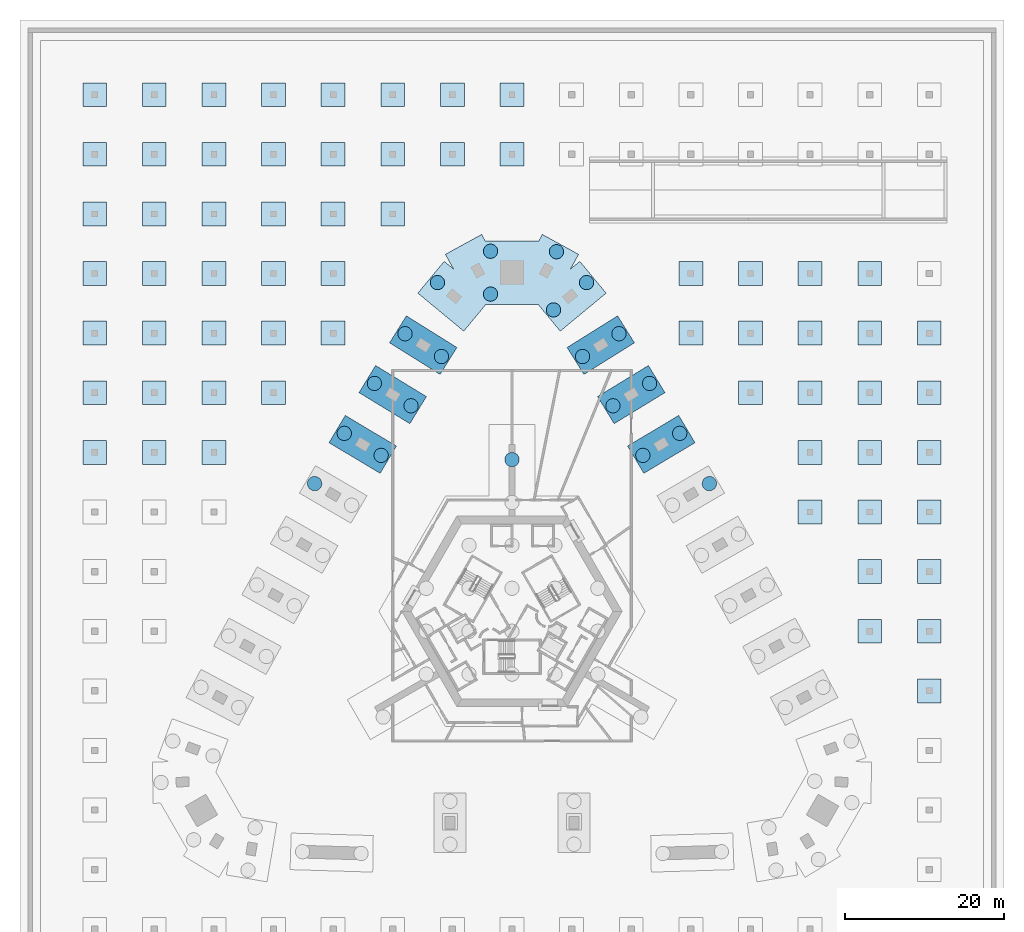
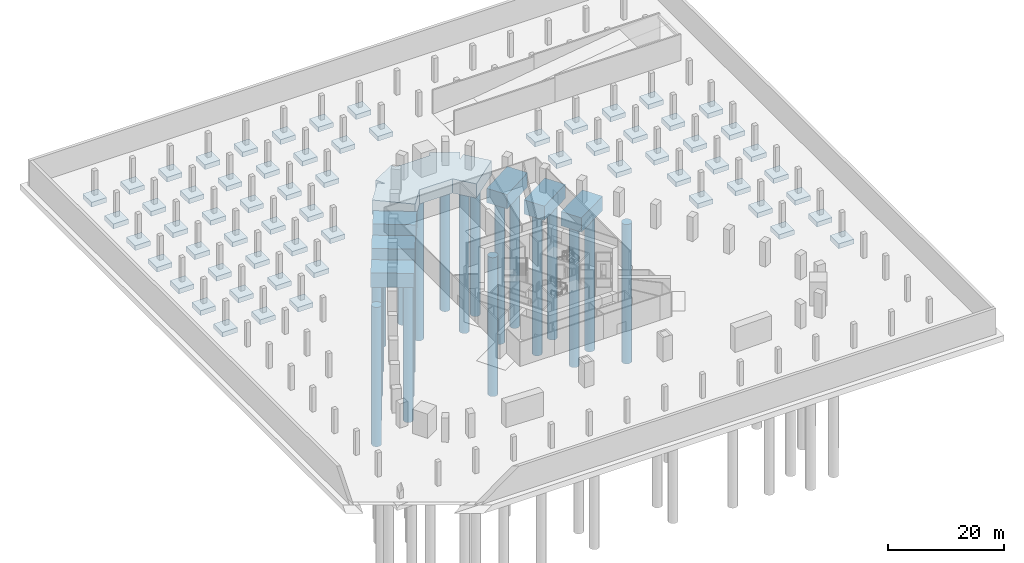
# One storey, part 2 of 14: 70 footings, 21 piles.
"""IFC4 building model written with IfcOpenShell, lengths in metres."""

from ifc_helpers import new_model, si_unit, direction, frame, origin, origin_2d, place, context, subcontext, project, spatial, polyline, circle, outline, extrude, material, layer, layer_set, material_profile, profile_set, type_object, element, save


model = new_model("IFC4")

# Units and contexts
model_context = context("Model", 3, precision=1e-05, world=origin(), true_north=direction((0.0, 1.0)))
body_context = subcontext(model_context, "Body", "Model", "MODEL_VIEW")
ifc_project = project(units=[si_unit("LENGTHUNIT", "METRE"), si_unit("AREAUNIT", "SQUARE_METRE"), si_unit("VOLUMEUNIT", "CUBIC_METRE"), si_unit("PLANEANGLEUNIT", "RADIAN"), si_unit("MASSUNIT", "GRAM", prefix="KILO")], contexts=[model_context])

# Site, building, storey
site_placement = place(None, origin())
site = spatial("IfcSite", under=ifc_project, at=site_placement, CompositionType="ELEMENT")
building_placement = place(site_placement, origin())
building = spatial("IfcBuilding", under=site, at=building_placement, Name="Entoto Arch Interchange Tower", CompositionType="ELEMENT")
storey_placement = place(building_placement, frame((0.0, 0.0, -16.5)))
storey = spatial("IfcBuildingStorey", under=building, at=storey_placement, Name="B3", CompositionType="ELEMENT", Elevation=-16.5)

# Piles
ifc_material = material(Name="Concrete C35/45", Category="concrete")
ifc_material_profile = material_profile(ifc_material, circle(Radius=0.89990234375, at=origin_2d()))
ifc_profile_set = profile_set([ifc_material_profile], Name="Concrete C35/45")
pile_type = type_object("IfcPileType", Name="Bored pile D1800 C35/45", PredefinedType="BORED", material=ifc_profile_set)
pile_placement = place(storey_placement, frame((0.0, 21.60009765625, -3.35009765625), z_axis=(0.0, 0.0, -1.0), x_axis=(1.0, 0.0, 0.0)))
element("IfcPile", 1, at=pile_placement, inside=storey, type_object=pile_type, Name="Bored pile P022 (RAFT)", PredefinedType="BORED", context=body_context, shape_type="SweptSolid", body=[
    extrude(circle(Radius=0.89990234375, at=origin_2d()), origin(), (0.0, 0.0, 1.0), 29.14990234375),
])
for number, where, z_axis, x_axis, name in (
    (2, (5.218994140625, 40.422119140625, -3.25), (0.0, 0.0, -1.0), (1.0, 0.0, 0.0), "Bored pile P023 (CAP-N)"),
    (3, (9.37890625, 43.865966796875, -3.25), (0.0, 0.0, -1.0), (1.0, 0.0, 0.0), "Bored pile P024 (CAP-N)"),
    (4, (5.593994140625, 47.748046875, -3.25), (0.0, 0.0, -1.0), (1.0, 0.0, 0.0), "Bored pile P025 (CAP-N)"),
    (5, (-2.699951171875, 42.412109375, -3.25), (0.0, 0.0, -1.0), (1.0, 0.0, 0.0), "Bored pile P026 (CAP-N)"),
    (6, (-2.699951171875, 47.81201171875, -3.25), (0.0, 0.0, -1.0), (1.0, 0.0, 0.0), "Bored pile P027 (CAP-N)"),
    (7, (-9.37890625, 43.865966796875, -3.25), (0.0, 0.0, -1.0), (1.0, 0.0, 0.0), "Bored pile P028 (CAP-N)"),
    (8, (24.8310546875, 18.572998046875, -3.25), (0.0, 0.0, -1.0), (1.0, 0.0, 0.0), "Bored pile P054 (CAP-NE06)"),
    (9, (16.464111328125, 22.123046875, -3.25), (0.0, 0.0, -1.0), (1.0, 0.0, 0.0), "Bored pile P055 (CAP-NE07)"),
    (10, (21.10009765625, 24.89306640625, -3.25), (0.0, 0.0, -1.0), (1.0, 0.0, 0.0), "Bored pile P056 (CAP-NE07)"),
    (11, (12.700927734375, 28.361083984375, -3.25), (0.0, 0.0, -1.0), (1.0, 0.0, 0.0), "Bored pile P057 (CAP-NE08)"),
    (12, (17.30908203125, 31.177001953125, -3.25), (0.0, 0.0, -1.0), (1.0, 0.0, 0.0), "Bored pile P058 (CAP-NE08)"),
    (13, (8.8779296875, 34.56201171875, -3.25), (0.0, 0.0, -1.0), (1.0, 0.0, 0.0), "Bored pile P059 (CAP-NE09)"),
    (14, (13.4560546875, 37.424072265625, -3.25), (0.0, 0.0, -1.0), (1.0, 0.0, 0.0), "Bored pile P060 (CAP-NE09)"),
    (15, (-8.8779296875, 34.56201171875, -3.25), (0.0, 0.0, -1.0), (1.0, 0.0, 0.0), "Bored pile P061 (CAP-NW02)"),
    (16, (-13.4560546875, 37.424072265625, -3.25), (0.0, 0.0, -1.0), (1.0, 0.0, 0.0), "Bored pile P062 (CAP-NW02)"),
    (17, (-12.700927734375, 28.361083984375, -3.25), (0.0, 0.0, -1.0), (1.0, 0.0, 0.0), "Bored pile P063 (CAP-NW03)"),
    (18, (-17.30908203125, 31.177001953125, -3.25), (0.0, 0.0, -1.0), (1.0, 0.0, 0.0), "Bored pile P064 (CAP-NW03)"),
    (19, (-16.464111328125, 22.123046875, -3.25), (0.0, 0.0, -1.0), (1.0, 0.0, 0.0), "Bored pile P065 (CAP-NW04)"),
    (20, (-21.10009765625, 24.89306640625, -3.25), (0.0, 0.0, -1.0), (1.0, 0.0, 0.0), "Bored pile P066 (CAP-NW04)"),
    (21, (-24.8310546875, 18.572998046875, -3.25), (0.0, 0.0, -1.0), (1.0, 0.0, 0.0), "Bored pile P068 (CAP-NW05)"),
):
    element("IfcPile", number, at=place(storey_placement, frame(where, z_axis=z_axis, x_axis=x_axis)), inside=storey, type_object=pile_type, Name=name, PredefinedType="BORED", context=body_context, shape_type="SweptSolid", body=[
        extrude(circle(Radius=0.89990234375, at=origin_2d()), origin(), (0.0, 0.0, 1.0), 29.25),
    ])

# Footings
ifc_layer_1 = layer(ifc_material, 1.0)
ifc_layer_set_1 = layer_set([ifc_layer_1], Name="Concrete C35/45")
footing_type_1 = type_object("IfcFootingType", Name="Pad footing 3000 C35/45", PredefinedType="PAD_FOOTING", material=ifc_layer_set_1)
footing_1_placement = place(storey_placement, frame((0.0, 0.0, -1.39990234375)))
element("IfcFooting", 22, at=footing_1_placement, inside=storey, type_object=footing_type_1, Name="Pad footing -52.5 +22.5", PredefinedType="PAD_FOOTING", context=body_context, shape_type="SweptSolid", body=[
    extrude(outline(polyline([(-51.0, 21.0), (-51.0, 24.0), (-54.0, 24.0), (-54.0, 21.0), (-51.0, 21.0)])), origin(), (0.0, 0.0, 1.0), 1.0),
])
footing_2_placement = place(storey_placement, frame((0.0, 0.0, -1.39990234375)))
element("IfcFooting", 23, at=footing_2_placement, inside=storey, type_object=footing_type_1, Name="Pad footing -52.5 +30.0", PredefinedType="PAD_FOOTING", context=body_context, shape_type="SweptSolid", body=[
    extrude(outline(polyline([(-51.0, 28.5), (-51.0, 31.5), (-54.0, 31.5), (-54.0, 28.5), (-51.0, 28.5)])), origin(), (0.0, 0.0, 1.0), 1.0),
])
footing_3_placement = place(storey_placement, frame((0.0, 0.0, -1.39990234375)))
element("IfcFooting", 24, at=footing_3_placement, inside=storey, type_object=footing_type_1, Name="Pad footing -52.5 +37.5", PredefinedType="PAD_FOOTING", context=body_context, shape_type="SweptSolid", body=[
    extrude(outline(polyline([(-51.0, 36.0), (-51.0, 39.0), (-54.0, 39.0), (-54.0, 36.0), (-51.0, 36.0)])), origin(), (0.0, 0.0, 1.0), 1.0),
])
footing_4_placement = place(storey_placement, frame((0.0, 0.0, -1.39990234375)))
element("IfcFooting", 25, at=footing_4_placement, inside=storey, type_object=footing_type_1, Name="Pad footing -52.5 +45.0", PredefinedType="PAD_FOOTING", context=body_context, shape_type="SweptSolid", body=[
    extrude(outline(polyline([(-51.0, 43.5), (-51.0, 46.5), (-54.0, 46.5), (-54.0, 43.5), (-51.0, 43.5)])), origin(), (0.0, 0.0, 1.0), 1.0),
])
footing_5_placement = place(storey_placement, frame((0.0, 0.0, -1.39990234375)))
element("IfcFooting", 26, at=footing_5_placement, inside=storey, type_object=footing_type_1, Name="Pad footing -52.5 +52.5", PredefinedType="PAD_FOOTING", context=body_context, shape_type="SweptSolid", body=[
    extrude(outline(polyline([(-51.0, 51.0), (-51.0, 54.0), (-54.0, 54.0), (-54.0, 51.0), (-51.0, 51.0)])), origin(), (0.0, 0.0, 1.0), 1.0),
])
footing_6_placement = place(storey_placement, frame((0.0, 0.0, -1.39990234375)))
element("IfcFooting", 27, at=footing_6_placement, inside=storey, type_object=footing_type_1, Name="Pad footing -52.5 +60.0", PredefinedType="PAD_FOOTING", context=body_context, shape_type="SweptSolid", body=[
    extrude(outline(polyline([(-51.0, 58.5), (-51.0, 61.5), (-54.0, 61.5), (-54.0, 58.5), (-51.0, 58.5)])), origin(), (0.0, 0.0, 1.0), 1.0),
])
footing_7_placement = place(storey_placement, frame((0.0, 0.0, -1.39990234375)))
element("IfcFooting", 28, at=footing_7_placement, inside=storey, type_object=footing_type_1, Name="Pad footing -52.5 +67.5", PredefinedType="PAD_FOOTING", context=body_context, shape_type="SweptSolid", body=[
    extrude(outline(polyline([(-51.0, 66.0), (-51.0, 69.0), (-54.0, 69.0), (-54.0, 66.0), (-51.0, 66.0)])), origin(), (0.0, 0.0, 1.0), 1.0),
])
footing_8_placement = place(storey_placement, frame((0.0, 0.0, -1.39990234375)))
element("IfcFooting", 29, at=footing_8_placement, inside=storey, type_object=footing_type_1, Name="Pad footing -45.0 +22.5", PredefinedType="PAD_FOOTING", context=body_context, shape_type="SweptSolid", body=[
    extrude(outline(polyline([(-43.5, 21.0), (-43.5, 24.0), (-46.5, 24.0), (-46.5, 21.0), (-43.5, 21.0)])), origin(), (0.0, 0.0, 1.0), 1.0),
])
footing_9_placement = place(storey_placement, frame((0.0, 0.0, -1.39990234375)))
element("IfcFooting", 30, at=footing_9_placement, inside=storey, type_object=footing_type_1, Name="Pad footing -45.0 +30.0", PredefinedType="PAD_FOOTING", context=body_context, shape_type="SweptSolid", body=[
    extrude(outline(polyline([(-43.5, 28.5), (-43.5, 31.5), (-46.5, 31.5), (-46.5, 28.5), (-43.5, 28.5)])), origin(), (0.0, 0.0, 1.0), 1.0),
])
footing_10_placement = place(storey_placement, frame((0.0, 0.0, -1.39990234375)))
element("IfcFooting", 31, at=footing_10_placement, inside=storey, type_object=footing_type_1, Name="Pad footing -45.0 +37.5", PredefinedType="PAD_FOOTING", context=body_context, shape_type="SweptSolid", body=[
    extrude(outline(polyline([(-43.5, 36.0), (-43.5, 39.0), (-46.5, 39.0), (-46.5, 36.0), (-43.5, 36.0)])), origin(), (0.0, 0.0, 1.0), 1.0),
])
footing_11_placement = place(storey_placement, frame((0.0, 0.0, -1.39990234375)))
element("IfcFooting", 32, at=footing_11_placement, inside=storey, type_object=footing_type_1, Name="Pad footing -45.0 +45.0", PredefinedType="PAD_FOOTING", context=body_context, shape_type="SweptSolid", body=[
    extrude(outline(polyline([(-43.5, 43.5), (-43.5, 46.5), (-46.5, 46.5), (-46.5, 43.5), (-43.5, 43.5)])), origin(), (0.0, 0.0, 1.0), 1.0),
])
footing_12_placement = place(storey_placement, frame((0.0, 0.0, -1.39990234375)))
element("IfcFooting", 33, at=footing_12_placement, inside=storey, type_object=footing_type_1, Name="Pad footing -45.0 +52.5", PredefinedType="PAD_FOOTING", context=body_context, shape_type="SweptSolid", body=[
    extrude(outline(polyline([(-43.5, 51.0), (-43.5, 54.0), (-46.5, 54.0), (-46.5, 51.0), (-43.5, 51.0)])), origin(), (0.0, 0.0, 1.0), 1.0),
])
footing_13_placement = place(storey_placement, frame((0.0, 0.0, -1.39990234375)))
element("IfcFooting", 34, at=footing_13_placement, inside=storey, type_object=footing_type_1, Name="Pad footing -45.0 +60.0", PredefinedType="PAD_FOOTING", context=body_context, shape_type="SweptSolid", body=[
    extrude(outline(polyline([(-43.5, 58.5), (-43.5, 61.5), (-46.5, 61.5), (-46.5, 58.5), (-43.5, 58.5)])), origin(), (0.0, 0.0, 1.0), 1.0),
])
footing_14_placement = place(storey_placement, frame((0.0, 0.0, -1.39990234375)))
element("IfcFooting", 35, at=footing_14_placement, inside=storey, type_object=footing_type_1, Name="Pad footing -45.0 +67.5", PredefinedType="PAD_FOOTING", context=body_context, shape_type="SweptSolid", body=[
    extrude(outline(polyline([(-43.5, 66.0), (-43.5, 69.0), (-46.5, 69.0), (-46.5, 66.0), (-43.5, 66.0)])), origin(), (0.0, 0.0, 1.0), 1.0),
])
footing_15_placement = place(storey_placement, frame((0.0, 0.0, -1.39990234375)))
element("IfcFooting", 36, at=footing_15_placement, inside=storey, type_object=footing_type_1, Name="Pad footing -37.5 +22.5", PredefinedType="PAD_FOOTING", context=body_context, shape_type="SweptSolid", body=[
    extrude(outline(polyline([(-36.0, 21.0), (-36.0, 24.0), (-39.0, 24.0), (-39.0, 21.0), (-36.0, 21.0)])), origin(), (0.0, 0.0, 1.0), 1.0),
])
footing_16_placement = place(storey_placement, frame((0.0, 0.0, -1.39990234375)))
element("IfcFooting", 37, at=footing_16_placement, inside=storey, type_object=footing_type_1, Name="Pad footing -37.5 +30.0", PredefinedType="PAD_FOOTING", context=body_context, shape_type="SweptSolid", body=[
    extrude(outline(polyline([(-36.0, 28.5), (-36.0, 31.5), (-39.0, 31.5), (-39.0, 28.5), (-36.0, 28.5)])), origin(), (0.0, 0.0, 1.0), 1.0),
])
footing_17_placement = place(storey_placement, frame((0.0, 0.0, -1.39990234375)))
element("IfcFooting", 38, at=footing_17_placement, inside=storey, type_object=footing_type_1, Name="Pad footing -37.5 +37.5", PredefinedType="PAD_FOOTING", context=body_context, shape_type="SweptSolid", body=[
    extrude(outline(polyline([(-36.0, 36.0), (-36.0, 39.0), (-39.0, 39.0), (-39.0, 36.0), (-36.0, 36.0)])), origin(), (0.0, 0.0, 1.0), 1.0),
])
footing_18_placement = place(storey_placement, frame((0.0, 0.0, -1.39990234375)))
element("IfcFooting", 39, at=footing_18_placement, inside=storey, type_object=footing_type_1, Name="Pad footing -37.5 +45.0", PredefinedType="PAD_FOOTING", context=body_context, shape_type="SweptSolid", body=[
    extrude(outline(polyline([(-36.0, 43.5), (-36.0, 46.5), (-39.0, 46.5), (-39.0, 43.5), (-36.0, 43.5)])), origin(), (0.0, 0.0, 1.0), 1.0),
])
footing_19_placement = place(storey_placement, frame((0.0, 0.0, -1.39990234375)))
element("IfcFooting", 40, at=footing_19_placement, inside=storey, type_object=footing_type_1, Name="Pad footing -37.5 +52.5", PredefinedType="PAD_FOOTING", context=body_context, shape_type="SweptSolid", body=[
    extrude(outline(polyline([(-36.0, 51.0), (-36.0, 54.0), (-39.0, 54.0), (-39.0, 51.0), (-36.0, 51.0)])), origin(), (0.0, 0.0, 1.0), 1.0),
])
footing_20_placement = place(storey_placement, frame((0.0, 0.0, -1.39990234375)))
element("IfcFooting", 41, at=footing_20_placement, inside=storey, type_object=footing_type_1, Name="Pad footing -37.5 +60.0", PredefinedType="PAD_FOOTING", context=body_context, shape_type="SweptSolid", body=[
    extrude(outline(polyline([(-36.0, 58.5), (-36.0, 61.5), (-39.0, 61.5), (-39.0, 58.5), (-36.0, 58.5)])), origin(), (0.0, 0.0, 1.0), 1.0),
])
footing_21_placement = place(storey_placement, frame((0.0, 0.0, -1.39990234375)))
element("IfcFooting", 42, at=footing_21_placement, inside=storey, type_object=footing_type_1, Name="Pad footing -37.5 +67.5", PredefinedType="PAD_FOOTING", context=body_context, shape_type="SweptSolid", body=[
    extrude(outline(polyline([(-36.0, 66.0), (-36.0, 69.0), (-39.0, 69.0), (-39.0, 66.0), (-36.0, 66.0)])), origin(), (0.0, 0.0, 1.0), 1.0),
])
footing_22_placement = place(storey_placement, frame((0.0, 0.0, -1.39990234375)))
element("IfcFooting", 43, at=footing_22_placement, inside=storey, type_object=footing_type_1, Name="Pad footing -30.0 +30.0", PredefinedType="PAD_FOOTING", context=body_context, shape_type="SweptSolid", body=[
    extrude(outline(polyline([(-28.5, 28.5), (-28.5, 31.5), (-31.5, 31.5), (-31.5, 28.5), (-28.5, 28.5)])), origin(), (0.0, 0.0, 1.0), 1.0),
])
footing_23_placement = place(storey_placement, frame((0.0, 0.0, -1.39990234375)))
element("IfcFooting", 44, at=footing_23_placement, inside=storey, type_object=footing_type_1, Name="Pad footing -30.0 +37.5", PredefinedType="PAD_FOOTING", context=body_context, shape_type="SweptSolid", body=[
    extrude(outline(polyline([(-28.5, 36.0), (-28.5, 39.0), (-31.5, 39.0), (-31.5, 36.0), (-28.5, 36.0)])), origin(), (0.0, 0.0, 1.0), 1.0),
])
footing_24_placement = place(storey_placement, frame((0.0, 0.0, -1.39990234375)))
element("IfcFooting", 45, at=footing_24_placement, inside=storey, type_object=footing_type_1, Name="Pad footing -30.0 +45.0", PredefinedType="PAD_FOOTING", context=body_context, shape_type="SweptSolid", body=[
    extrude(outline(polyline([(-28.5, 43.5), (-28.5, 46.5), (-31.5, 46.5), (-31.5, 43.5), (-28.5, 43.5)])), origin(), (0.0, 0.0, 1.0), 1.0),
])
footing_25_placement = place(storey_placement, frame((0.0, 0.0, -1.39990234375)))
element("IfcFooting", 46, at=footing_25_placement, inside=storey, type_object=footing_type_1, Name="Pad footing -30.0 +52.5", PredefinedType="PAD_FOOTING", context=body_context, shape_type="SweptSolid", body=[
    extrude(outline(polyline([(-28.5, 51.0), (-28.5, 54.0), (-31.5, 54.0), (-31.5, 51.0), (-28.5, 51.0)])), origin(), (0.0, 0.0, 1.0), 1.0),
])
footing_26_placement = place(storey_placement, frame((0.0, 0.0, -1.39990234375)))
element("IfcFooting", 47, at=footing_26_placement, inside=storey, type_object=footing_type_1, Name="Pad footing -30.0 +60.0", PredefinedType="PAD_FOOTING", context=body_context, shape_type="SweptSolid", body=[
    extrude(outline(polyline([(-28.5, 58.5), (-28.5, 61.5), (-31.5, 61.5), (-31.5, 58.5), (-28.5, 58.5)])), origin(), (0.0, 0.0, 1.0), 1.0),
])
footing_27_placement = place(storey_placement, frame((0.0, 0.0, -1.39990234375)))
element("IfcFooting", 48, at=footing_27_placement, inside=storey, type_object=footing_type_1, Name="Pad footing -30.0 +67.5", PredefinedType="PAD_FOOTING", context=body_context, shape_type="SweptSolid", body=[
    extrude(outline(polyline([(-28.5, 66.0), (-28.5, 69.0), (-31.5, 69.0), (-31.5, 66.0), (-28.5, 66.0)])), origin(), (0.0, 0.0, 1.0), 1.0),
])
footing_28_placement = place(storey_placement, frame((0.0, 0.0, -1.39990234375)))
element("IfcFooting", 49, at=footing_28_placement, inside=storey, type_object=footing_type_1, Name="Pad footing -22.5 +37.5", PredefinedType="PAD_FOOTING", context=body_context, shape_type="SweptSolid", body=[
    extrude(outline(polyline([(-21.0, 36.0), (-21.0, 39.0), (-24.0, 39.0), (-24.0, 36.0), (-21.0, 36.0)])), origin(), (0.0, 0.0, 1.0), 1.0),
])
footing_29_placement = place(storey_placement, frame((0.0, 0.0, -1.39990234375)))
element("IfcFooting", 50, at=footing_29_placement, inside=storey, type_object=footing_type_1, Name="Pad footing -22.5 +45.0", PredefinedType="PAD_FOOTING", context=body_context, shape_type="SweptSolid", body=[
    extrude(outline(polyline([(-21.0, 43.5), (-21.0, 46.5), (-24.0, 46.5), (-24.0, 43.5), (-21.0, 43.5)])), origin(), (0.0, 0.0, 1.0), 1.0),
])
footing_30_placement = place(storey_placement, frame((0.0, 0.0, -1.39990234375)))
element("IfcFooting", 51, at=footing_30_placement, inside=storey, type_object=footing_type_1, Name="Pad footing -22.5 +52.5", PredefinedType="PAD_FOOTING", context=body_context, shape_type="SweptSolid", body=[
    extrude(outline(polyline([(-21.0, 51.0), (-21.0, 54.0), (-24.0, 54.0), (-24.0, 51.0), (-21.0, 51.0)])), origin(), (0.0, 0.0, 1.0), 1.0),
])
footing_31_placement = place(storey_placement, frame((0.0, 0.0, -1.39990234375)))
element("IfcFooting", 52, at=footing_31_placement, inside=storey, type_object=footing_type_1, Name="Pad footing -22.5 +60.0", PredefinedType="PAD_FOOTING", context=body_context, shape_type="SweptSolid", body=[
    extrude(outline(polyline([(-21.0, 58.5), (-21.0, 61.5), (-24.0, 61.5), (-24.0, 58.5), (-21.0, 58.5)])), origin(), (0.0, 0.0, 1.0), 1.0),
])
footing_32_placement = place(storey_placement, frame((0.0, 0.0, -1.39990234375)))
element("IfcFooting", 53, at=footing_32_placement, inside=storey, type_object=footing_type_1, Name="Pad footing -22.5 +67.5", PredefinedType="PAD_FOOTING", context=body_context, shape_type="SweptSolid", body=[
    extrude(outline(polyline([(-21.0, 66.0), (-21.0, 69.0), (-24.0, 69.0), (-24.0, 66.0), (-21.0, 66.0)])), origin(), (0.0, 0.0, 1.0), 1.0),
])
footing_33_placement = place(storey_placement, frame((0.0, 0.0, -1.39990234375)))
element("IfcFooting", 54, at=footing_33_placement, inside=storey, type_object=footing_type_1, Name="Pad footing -15.0 +52.5", PredefinedType="PAD_FOOTING", context=body_context, shape_type="SweptSolid", body=[
    extrude(outline(polyline([(-13.5, 51.0), (-13.5, 54.0), (-16.5, 54.0), (-16.5, 51.0), (-13.5, 51.0)])), origin(), (0.0, 0.0, 1.0), 1.0),
])
footing_34_placement = place(storey_placement, frame((0.0, 0.0, -1.39990234375)))
element("IfcFooting", 55, at=footing_34_placement, inside=storey, type_object=footing_type_1, Name="Pad footing -15.0 +60.0", PredefinedType="PAD_FOOTING", context=body_context, shape_type="SweptSolid", body=[
    extrude(outline(polyline([(-13.5, 58.5), (-13.5, 61.5), (-16.5, 61.5), (-16.5, 58.5), (-13.5, 58.5)])), origin(), (0.0, 0.0, 1.0), 1.0),
])
footing_35_placement = place(storey_placement, frame((0.0, 0.0, -1.39990234375)))
element("IfcFooting", 56, at=footing_35_placement, inside=storey, type_object=footing_type_1, Name="Pad footing -15.0 +67.5", PredefinedType="PAD_FOOTING", context=body_context, shape_type="SweptSolid", body=[
    extrude(outline(polyline([(-13.5, 66.0), (-13.5, 69.0), (-16.5, 69.0), (-16.5, 66.0), (-13.5, 66.0)])), origin(), (0.0, 0.0, 1.0), 1.0),
])
footing_36_placement = place(storey_placement, frame((0.0, 0.0, -1.39990234375)))
element("IfcFooting", 57, at=footing_36_placement, inside=storey, type_object=footing_type_1, Name="Pad footing -7.5 +60.0", PredefinedType="PAD_FOOTING", context=body_context, shape_type="SweptSolid", body=[
    extrude(outline(polyline([(-6.0, 58.5), (-6.0, 61.5), (-9.0, 61.5), (-9.0, 58.5), (-6.0, 58.5)])), origin(), (0.0, 0.0, 1.0), 1.0),
])
footing_37_placement = place(storey_placement, frame((0.0, 0.0, -1.39990234375)))
element("IfcFooting", 58, at=footing_37_placement, inside=storey, type_object=footing_type_1, Name="Pad footing -7.5 +67.5", PredefinedType="PAD_FOOTING", context=body_context, shape_type="SweptSolid", body=[
    extrude(outline(polyline([(-6.0, 66.0), (-6.0, 69.0), (-9.0, 69.0), (-9.0, 66.0), (-6.0, 66.0)])), origin(), (0.0, 0.0, 1.0), 1.0),
])
footing_38_placement = place(storey_placement, frame((0.0, 0.0, -1.39990234375)))
element("IfcFooting", 59, at=footing_38_placement, inside=storey, type_object=footing_type_1, Name="Pad footing +0.0 +60.0", PredefinedType="PAD_FOOTING", context=body_context, shape_type="SweptSolid", body=[
    extrude(outline(polyline([(1.5, 58.5), (1.5, 61.5), (-1.5, 61.5), (-1.5, 58.5), (1.5, 58.5)])), origin(), (0.0, 0.0, 1.0), 1.0),
])
footing_39_placement = place(storey_placement, frame((0.0, 0.0, -1.39990234375)))
element("IfcFooting", 60, at=footing_39_placement, inside=storey, type_object=footing_type_1, Name="Pad footing +0.0 +67.5", PredefinedType="PAD_FOOTING", context=body_context, shape_type="SweptSolid", body=[
    extrude(outline(polyline([(1.5, 66.0), (1.5, 69.0), (-1.5, 69.0), (-1.5, 66.0), (1.5, 66.0)])), origin(), (0.0, 0.0, 1.0), 1.0),
])
footing_40_placement = place(storey_placement, frame((0.0, 0.0, -1.39990234375)))
element("IfcFooting", 61, at=footing_40_placement, inside=storey, type_object=footing_type_1, Name="Pad footing +22.5 +37.5", PredefinedType="PAD_FOOTING", context=body_context, shape_type="SweptSolid", body=[
    extrude(outline(polyline([(24.0, 36.0), (24.0, 39.0), (21.0, 39.0), (21.0, 36.0), (24.0, 36.0)])), origin(), (0.0, 0.0, 1.0), 1.0),
])
footing_41_placement = place(storey_placement, frame((0.0, 0.0, -1.39990234375)))
element("IfcFooting", 62, at=footing_41_placement, inside=storey, type_object=footing_type_1, Name="Pad footing +22.5 +45.0", PredefinedType="PAD_FOOTING", context=body_context, shape_type="SweptSolid", body=[
    extrude(outline(polyline([(24.0, 43.5), (24.0, 46.5), (21.0, 46.5), (21.0, 43.5), (24.0, 43.5)])), origin(), (0.0, 0.0, 1.0), 1.0),
])
footing_42_placement = place(storey_placement, frame((0.0, 0.0, -1.39990234375)))
element("IfcFooting", 63, at=footing_42_placement, inside=storey, type_object=footing_type_1, Name="Pad footing +30.0 +30.0", PredefinedType="PAD_FOOTING", context=body_context, shape_type="SweptSolid", body=[
    extrude(outline(polyline([(31.5, 28.5), (31.5, 31.5), (28.5, 31.5), (28.5, 28.5), (31.5, 28.5)])), origin(), (0.0, 0.0, 1.0), 1.0),
])
footing_43_placement = place(storey_placement, frame((0.0, 0.0, -1.39990234375)))
element("IfcFooting", 64, at=footing_43_placement, inside=storey, type_object=footing_type_1, Name="Pad footing +30.0 +37.5", PredefinedType="PAD_FOOTING", context=body_context, shape_type="SweptSolid", body=[
    extrude(outline(polyline([(31.5, 36.0), (31.5, 39.0), (28.5, 39.0), (28.5, 36.0), (31.5, 36.0)])), origin(), (0.0, 0.0, 1.0), 1.0),
])
footing_44_placement = place(storey_placement, frame((0.0, 0.0, -1.39990234375)))
element("IfcFooting", 65, at=footing_44_placement, inside=storey, type_object=footing_type_1, Name="Pad footing +30.0 +45.0", PredefinedType="PAD_FOOTING", context=body_context, shape_type="SweptSolid", body=[
    extrude(outline(polyline([(31.5, 43.5), (31.5, 46.5), (28.5, 46.5), (28.5, 43.5), (31.5, 43.5)])), origin(), (0.0, 0.0, 1.0), 1.0),
])
footing_45_placement = place(storey_placement, frame((0.0, 0.0, -1.39990234375)))
element("IfcFooting", 66, at=footing_45_placement, inside=storey, type_object=footing_type_1, Name="Pad footing +37.5 +15.0", PredefinedType="PAD_FOOTING", context=body_context, shape_type="SweptSolid", body=[
    extrude(outline(polyline([(39.0, 13.5), (39.0, 16.5), (36.0, 16.5), (36.0, 13.5), (39.0, 13.5)])), origin(), (0.0, 0.0, 1.0), 1.0),
])
footing_46_placement = place(storey_placement, frame((0.0, 0.0, -1.39990234375)))
element("IfcFooting", 67, at=footing_46_placement, inside=storey, type_object=footing_type_1, Name="Pad footing +37.5 +22.5", PredefinedType="PAD_FOOTING", context=body_context, shape_type="SweptSolid", body=[
    extrude(outline(polyline([(39.0, 21.0), (39.0, 24.0), (36.0, 24.0), (36.0, 21.0), (39.0, 21.0)])), origin(), (0.0, 0.0, 1.0), 1.0),
])
footing_47_placement = place(storey_placement, frame((0.0, 0.0, -1.39990234375)))
element("IfcFooting", 68, at=footing_47_placement, inside=storey, type_object=footing_type_1, Name="Pad footing +37.5 +30.0", PredefinedType="PAD_FOOTING", context=body_context, shape_type="SweptSolid", body=[
    extrude(outline(polyline([(39.0, 28.5), (39.0, 31.5), (36.0, 31.5), (36.0, 28.5), (39.0, 28.5)])), origin(), (0.0, 0.0, 1.0), 1.0),
])
footing_48_placement = place(storey_placement, frame((0.0, 0.0, -1.39990234375)))
element("IfcFooting", 69, at=footing_48_placement, inside=storey, type_object=footing_type_1, Name="Pad footing +37.5 +37.5", PredefinedType="PAD_FOOTING", context=body_context, shape_type="SweptSolid", body=[
    extrude(outline(polyline([(39.0, 36.0), (39.0, 39.0), (36.0, 39.0), (36.0, 36.0), (39.0, 36.0)])), origin(), (0.0, 0.0, 1.0), 1.0),
])
footing_49_placement = place(storey_placement, frame((0.0, 0.0, -1.39990234375)))
element("IfcFooting", 70, at=footing_49_placement, inside=storey, type_object=footing_type_1, Name="Pad footing +37.5 +45.0", PredefinedType="PAD_FOOTING", context=body_context, shape_type="SweptSolid", body=[
    extrude(outline(polyline([(39.0, 43.5), (39.0, 46.5), (36.0, 46.5), (36.0, 43.5), (39.0, 43.5)])), origin(), (0.0, 0.0, 1.0), 1.0),
])
footing_50_placement = place(storey_placement, frame((0.0, 0.0, -1.39990234375)))
element("IfcFooting", 71, at=footing_50_placement, inside=storey, type_object=footing_type_1, Name="Pad footing +45.0 +0.0", PredefinedType="PAD_FOOTING", context=body_context, shape_type="SweptSolid", body=[
    extrude(outline(polyline([(46.5, -1.5), (46.5, 1.5), (43.5, 1.5), (43.5, -1.5), (46.5, -1.5)])), origin(), (0.0, 0.0, 1.0), 1.0),
])
footing_51_placement = place(storey_placement, frame((0.0, 0.0, -1.39990234375)))
element("IfcFooting", 72, at=footing_51_placement, inside=storey, type_object=footing_type_1, Name="Pad footing +45.0 +7.5", PredefinedType="PAD_FOOTING", context=body_context, shape_type="SweptSolid", body=[
    extrude(outline(polyline([(46.5, 6.0), (46.5, 9.0), (43.5, 9.0), (43.5, 6.0), (46.5, 6.0)])), origin(), (0.0, 0.0, 1.0), 1.0),
])
footing_52_placement = place(storey_placement, frame((0.0, 0.0, -1.39990234375)))
element("IfcFooting", 73, at=footing_52_placement, inside=storey, type_object=footing_type_1, Name="Pad footing +45.0 +15.0", PredefinedType="PAD_FOOTING", context=body_context, shape_type="SweptSolid", body=[
    extrude(outline(polyline([(46.5, 13.5), (46.5, 16.5), (43.5, 16.5), (43.5, 13.5), (46.5, 13.5)])), origin(), (0.0, 0.0, 1.0), 1.0),
])
footing_53_placement = place(storey_placement, frame((0.0, 0.0, -1.39990234375)))
element("IfcFooting", 74, at=footing_53_placement, inside=storey, type_object=footing_type_1, Name="Pad footing +45.0 +22.5", PredefinedType="PAD_FOOTING", context=body_context, shape_type="SweptSolid", body=[
    extrude(outline(polyline([(46.5, 21.0), (46.5, 24.0), (43.5, 24.0), (43.5, 21.0), (46.5, 21.0)])), origin(), (0.0, 0.0, 1.0), 1.0),
])
footing_54_placement = place(storey_placement, frame((0.0, 0.0, -1.39990234375)))
element("IfcFooting", 75, at=footing_54_placement, inside=storey, type_object=footing_type_1, Name="Pad footing +45.0 +30.0", PredefinedType="PAD_FOOTING", context=body_context, shape_type="SweptSolid", body=[
    extrude(outline(polyline([(46.5, 28.5), (46.5, 31.5), (43.5, 31.5), (43.5, 28.5), (46.5, 28.5)])), origin(), (0.0, 0.0, 1.0), 1.0),
])
footing_55_placement = place(storey_placement, frame((0.0, 0.0, -1.39990234375)))
element("IfcFooting", 76, at=footing_55_placement, inside=storey, type_object=footing_type_1, Name="Pad footing +45.0 +37.5", PredefinedType="PAD_FOOTING", context=body_context, shape_type="SweptSolid", body=[
    extrude(outline(polyline([(46.5, 36.0), (46.5, 39.0), (43.5, 39.0), (43.5, 36.0), (46.5, 36.0)])), origin(), (0.0, 0.0, 1.0), 1.0),
])
footing_56_placement = place(storey_placement, frame((0.0, 0.0, -1.39990234375)))
element("IfcFooting", 77, at=footing_56_placement, inside=storey, type_object=footing_type_1, Name="Pad footing +45.0 +45.0", PredefinedType="PAD_FOOTING", context=body_context, shape_type="SweptSolid", body=[
    extrude(outline(polyline([(46.5, 43.5), (46.5, 46.5), (43.5, 46.5), (43.5, 43.5), (46.5, 43.5)])), origin(), (0.0, 0.0, 1.0), 1.0),
])
footing_57_placement = place(storey_placement, frame((0.0, 0.0, -1.39990234375)))
element("IfcFooting", 78, at=footing_57_placement, inside=storey, type_object=footing_type_1, Name="Pad footing +52.5 -7.5", PredefinedType="PAD_FOOTING", context=body_context, shape_type="SweptSolid", body=[
    extrude(outline(polyline([(54.0, -9.0), (54.0, -6.0), (51.0, -6.0), (51.0, -9.0), (54.0, -9.0)])), origin(), (0.0, 0.0, 1.0), 1.0),
])
footing_58_placement = place(storey_placement, frame((0.0, 0.0, -1.39990234375)))
element("IfcFooting", 79, at=footing_58_placement, inside=storey, type_object=footing_type_1, Name="Pad footing +52.5 +0.0", PredefinedType="PAD_FOOTING", context=body_context, shape_type="SweptSolid", body=[
    extrude(outline(polyline([(54.0, -1.5), (54.0, 1.5), (51.0, 1.5), (51.0, -1.5), (54.0, -1.5)])), origin(), (0.0, 0.0, 1.0), 1.0),
])
footing_59_placement = place(storey_placement, frame((0.0, 0.0, -1.39990234375)))
element("IfcFooting", 80, at=footing_59_placement, inside=storey, type_object=footing_type_1, Name="Pad footing +52.5 +7.5", PredefinedType="PAD_FOOTING", context=body_context, shape_type="SweptSolid", body=[
    extrude(outline(polyline([(54.0, 6.0), (54.0, 9.0), (51.0, 9.0), (51.0, 6.0), (54.0, 6.0)])), origin(), (0.0, 0.0, 1.0), 1.0),
])
footing_60_placement = place(storey_placement, frame((0.0, 0.0, -1.39990234375)))
element("IfcFooting", 81, at=footing_60_placement, inside=storey, type_object=footing_type_1, Name="Pad footing +52.5 +15.0", PredefinedType="PAD_FOOTING", context=body_context, shape_type="SweptSolid", body=[
    extrude(outline(polyline([(54.0, 13.5), (54.0, 16.5), (51.0, 16.5), (51.0, 13.5), (54.0, 13.5)])), origin(), (0.0, 0.0, 1.0), 1.0),
])
footing_61_placement = place(storey_placement, frame((0.0, 0.0, -1.39990234375)))
element("IfcFooting", 82, at=footing_61_placement, inside=storey, type_object=footing_type_1, Name="Pad footing +52.5 +22.5", PredefinedType="PAD_FOOTING", context=body_context, shape_type="SweptSolid", body=[
    extrude(outline(polyline([(54.0, 21.0), (54.0, 24.0), (51.0, 24.0), (51.0, 21.0), (54.0, 21.0)])), origin(), (0.0, 0.0, 1.0), 1.0),
])
footing_62_placement = place(storey_placement, frame((0.0, 0.0, -1.39990234375)))
element("IfcFooting", 83, at=footing_62_placement, inside=storey, type_object=footing_type_1, Name="Pad footing +52.5 +30.0", PredefinedType="PAD_FOOTING", context=body_context, shape_type="SweptSolid", body=[
    extrude(outline(polyline([(54.0, 28.5), (54.0, 31.5), (51.0, 31.5), (51.0, 28.5), (54.0, 28.5)])), origin(), (0.0, 0.0, 1.0), 1.0),
])
footing_63_placement = place(storey_placement, frame((0.0, 0.0, -1.39990234375)))
element("IfcFooting", 84, at=footing_63_placement, inside=storey, type_object=footing_type_1, Name="Pad footing +52.5 +37.5", PredefinedType="PAD_FOOTING", context=body_context, shape_type="SweptSolid", body=[
    extrude(outline(polyline([(54.0, 36.0), (54.0, 39.0), (51.0, 39.0), (51.0, 36.0), (54.0, 36.0)])), origin(), (0.0, 0.0, 1.0), 1.0),
])
ifc_layer_2 = layer(ifc_material, 3.0)
ifc_layer_set_2 = layer_set([ifc_layer_2], Name="Concrete C35/45")
footing_type_2 = type_object("IfcFootingType", Name="Pile cap 3000 C35/45", PredefinedType="PILE_CAP", material=ifc_layer_set_2)
footing_64_placement = place(storey_placement, frame((0.0, 0.0, -3.39990234375)))
element("IfcFooting", 85, at=footing_64_placement, inside=storey, type_object=footing_type_2, Name="Pile cap CAP-N", PredefinedType="PILE_CAP", context=body_context, shape_type="SweptSolid", body=[
    extrude(outline(polyline([(-8.530029296875, 46.5380859375), (-11.845947265625, 42.531982421875), (-6.068115234375, 37.75), (-3.284912109375, 41.112060546875), (3.284912109375, 41.112060546875), (6.068115234375, 37.75), (11.845947265625, 42.531982421875), (8.530029296875, 46.5380859375), (7.3701171875, 45.577880859375), (8.37890625, 47.419921875), (3.818115234375, 49.91796875), (3.3759765625, 49.112060546875), (-3.3759765625, 49.112060546875), (-3.818115234375, 49.91796875), (-8.37890625, 47.419921875), (-7.3701171875, 45.577880859375), (-8.530029296875, 46.5380859375)])), origin(), (0.0, 0.0, 1.0), 3.0),
])
footing_65_placement = place(storey_placement, frame((0.0, 0.0, -3.39990234375)))
element("IfcFooting", 86, at=footing_65_placement, inside=storey, type_object=footing_type_2, Name="Pile cap CAP-NE07", PredefinedType="PILE_CAP", context=body_context, shape_type="SweptSolid", body=[
    extrude(outline(polyline([(20.97509765625, 27.14794921875), (14.537109375, 23.301025390625), (16.589111328125, 19.867919921875), (23.027099609375, 23.715087890625), (20.97509765625, 27.14794921875)])), origin(), (0.0, 0.0, 1.0), 3.0),
])
footing_66_placement = place(storey_placement, frame((0.0, 0.0, -3.39990234375)))
element("IfcFooting", 87, at=footing_66_placement, inside=storey, type_object=footing_type_2, Name="Pile cap CAP-NE08", PredefinedType="PILE_CAP", context=body_context, shape_type="SweptSolid", body=[
    extrude(outline(polyline([(17.160888671875, 33.430908203125), (10.761962890625, 29.52001953125), (12.84912109375, 26.10693359375), (19.248046875, 30.01806640625), (17.160888671875, 33.430908203125)])), origin(), (0.0, 0.0, 1.0), 3.0),
])
footing_67_placement = place(storey_placement, frame((0.0, 0.0, -3.39990234375)))
element("IfcFooting", 88, at=footing_67_placement, inside=storey, type_object=footing_type_2, Name="Pile cap CAP-NE09", PredefinedType="PILE_CAP", context=body_context, shape_type="SweptSolid", body=[
    extrude(outline(polyline([(13.287109375, 39.677001953125), (6.927001953125, 35.700927734375), (9.047119140625, 32.30908203125), (15.406982421875, 36.284912109375), (13.287109375, 39.677001953125)])), origin(), (0.0, 0.0, 1.0), 3.0),
])
footing_68_placement = place(storey_placement, frame((0.0, 0.0, -3.39990234375)))
element("IfcFooting", 89, at=footing_68_placement, inside=storey, type_object=footing_type_2, Name="Pile cap CAP-NW02", PredefinedType="PILE_CAP", context=body_context, shape_type="SweptSolid", body=[
    extrude(outline(polyline([(-15.406982421875, 36.284912109375), (-9.047119140625, 32.30908203125), (-6.927001953125, 35.700927734375), (-13.287109375, 39.677001953125), (-15.406982421875, 36.284912109375)])), origin(), (0.0, 0.0, 1.0), 3.0),
])
footing_69_placement = place(storey_placement, frame((0.0, 0.0, -3.39990234375)))
element("IfcFooting", 90, at=footing_69_placement, inside=storey, type_object=footing_type_2, Name="Pile cap CAP-NW03", PredefinedType="PILE_CAP", context=body_context, shape_type="SweptSolid", body=[
    extrude(outline(polyline([(-19.248046875, 30.01806640625), (-12.84912109375, 26.10693359375), (-10.761962890625, 29.52001953125), (-17.160888671875, 33.430908203125), (-19.248046875, 30.01806640625)])), origin(), (0.0, 0.0, 1.0), 3.0),
])
footing_70_placement = place(storey_placement, frame((0.0, 0.0, -3.39990234375)))
element("IfcFooting", 91, at=footing_70_placement, inside=storey, type_object=footing_type_2, Name="Pile cap CAP-NW04", PredefinedType="PILE_CAP", context=body_context, shape_type="SweptSolid", body=[
    extrude(outline(polyline([(-23.027099609375, 23.715087890625), (-16.589111328125, 19.867919921875), (-14.537109375, 23.301025390625), (-20.97509765625, 27.14794921875), (-23.027099609375, 23.715087890625)])), origin(), (0.0, 0.0, 1.0), 3.0),
])

save(model, "model.ifc")
